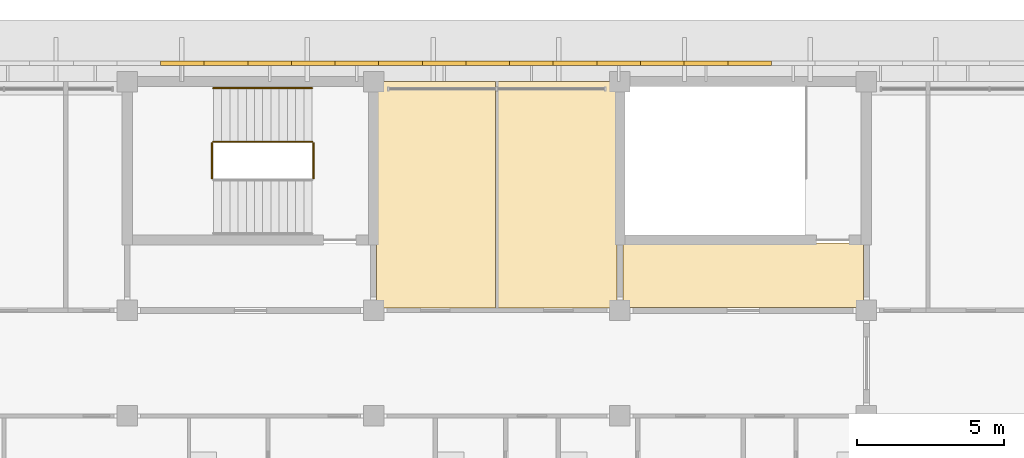
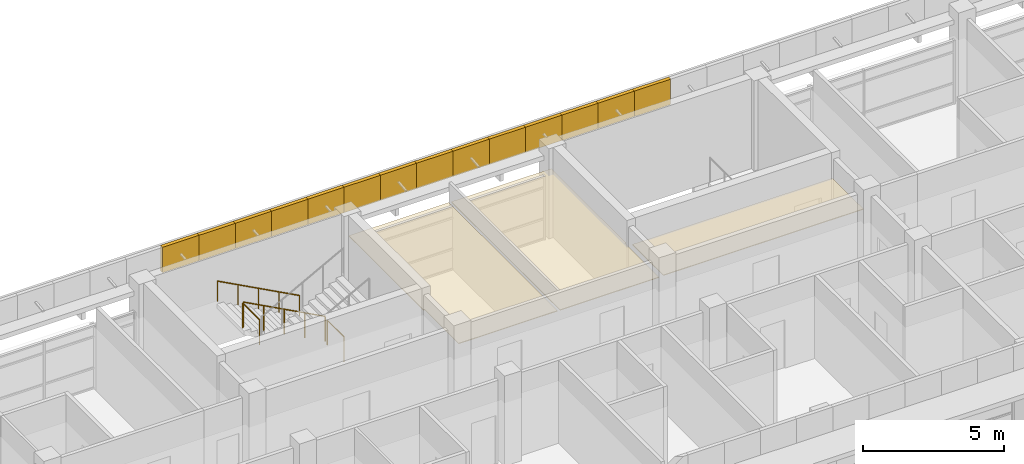
# One storey, part 32 of 36: 17 coverings, 4 railings.
"""IFC4 building model written with IfcOpenShell, lengths in metres."""

from ifc_helpers import new_model, si_unit, direction, frame, origin, origin_2d, place, context, subcontext, project, spatial, polyline, circle, outline, extrude, material, layer, layer_set, type_object, element, save


model = new_model("IFC4")

# Units and contexts
model_context = context("Model", 3, precision=1e-05, world=origin(), true_north=direction((0.0, 1.0)))
body_context = subcontext(model_context, "Body", "Model", "MODEL_VIEW")
ifc_project = project(units=[si_unit("LENGTHUNIT", "METRE"), si_unit("AREAUNIT", "SQUARE_METRE"), si_unit("VOLUMEUNIT", "CUBIC_METRE"), si_unit("PLANEANGLEUNIT", "RADIAN"), si_unit("MASSUNIT", "GRAM", prefix="KILO")], contexts=[model_context])

# Site, building, storey
site_placement = place(None, origin())
site = spatial("IfcSite", under=ifc_project, at=site_placement, CompositionType="ELEMENT")
building_placement = place(site_placement, origin())
building = spatial("IfcBuilding", under=site, at=building_placement, Name="Bougainvillea Quay General Hospital", CompositionType="ELEMENT")
storey_placement = place(building_placement, frame((0.0, 0.0, 32.699951171875)))
storey = spatial("IfcBuildingStorey", under=building, at=storey_placement, Name="L07", CompositionType="ELEMENT", Elevation=32.699951171875)

# Coverings
ifc_material_1 = material(Name="Powder-coated aluminium fascia, white", Category="aluminium")
ifc_layer_1 = layer(ifc_material_1, 0.14990234375)
ifc_layer_set_1 = layer_set([ifc_layer_1], Name="Powder-coated aluminium fascia, white")
covering_type_1 = type_object("IfcCoveringType", Name="Aluminium fascia band white 150x1100", PredefinedType="CLADDING", material=ifc_layer_set_1)
covering_1_placement = place(storey_placement, frame((105.96240234375, 160.14990234375, 3.35009765625), z_axis=(0.0, 0.0, 1.0), x_axis=(-1.0, 0.0, 0.0)))
element("IfcCovering", 1, at=covering_1_placement, inside=storey, type_object=covering_type_1, Name="Fascia band white e0 54", PredefinedType="CLADDING", context=body_context, shape_type="SweptSolid", body=[
    extrude(outline(polyline([(0.0, 0.0), (1.4873046875, 0.0), (1.4873046875, -0.150146484375), (0.0, -0.150146484375), (0.0, 0.0)])), origin(), (0.0, 0.0, 1.0), 1.10009765625),
])
for number, where, z_axis, x_axis, name in (
    (2, (104.47509765625, 160.14990234375, 3.35009765625), (0.0, 0.0, 1.0), (-1.0, 0.0, 0.0), "Fascia band white e0 55"),
    (3, (102.987548828125, 160.14990234375, 3.35009765625), (0.0, 0.0, 1.0), (-1.0, 0.0, 0.0), "Fascia band white e0 56"),
    (4, (101.5, 160.14990234375, 3.35009765625), (0.0, 0.0, 1.0), (-1.0, 0.0, 0.0), "Fascia band white e0 57"),
    (5, (100.012451171875, 160.14990234375, 3.35009765625), (0.0, 0.0, 1.0), (-1.0, 0.0, 0.0), "Fascia band white e0 58"),
):
    element("IfcCovering", number, at=place(storey_placement, frame(where, z_axis=z_axis, x_axis=x_axis)), inside=storey, type_object=covering_type_1, Name=name, PredefinedType="CLADDING", context=body_context, shape_type="SweptSolid", body=[
        extrude(outline(polyline([(0.0, 0.0), (1.487548828125, 0.0), (1.487548828125, -0.150146484375), (0.0, -0.150146484375), (0.0, 0.0)])), origin(), (0.0, 0.0, 1.0), 1.10009765625),
    ])
covering_2_placement = place(storey_placement, frame((98.52490234375, 160.14990234375, 3.35009765625), z_axis=(0.0, 0.0, 1.0), x_axis=(-1.0, 0.0, 0.0)))
element("IfcCovering", 6, at=covering_2_placement, inside=storey, type_object=covering_type_1, Name="Fascia band white e0 59", PredefinedType="CLADDING", context=body_context, shape_type="SweptSolid", body=[
    extrude(outline(polyline([(0.0, 0.0), (1.4873046875, 0.0), (1.4873046875, -0.150146484375), (0.0, -0.150146484375), (0.0, 0.0)])), origin(), (0.0, 0.0, 1.0), 1.10009765625),
])
for number, where, z_axis, x_axis, name in (
    (7, (97.03759765625, 160.14990234375, 3.35009765625), (0.0, 0.0, 1.0), (-1.0, 0.0, 0.0), "Fascia band white e0 60"),
    (8, (95.550048828125, 160.14990234375, 3.35009765625), (0.0, 0.0, 1.0), (-1.0, 0.0, 0.0), "Fascia band white e0 61"),
    (9, (94.0625, 160.14990234375, 3.35009765625), (0.0, 0.0, 1.0), (-1.0, 0.0, 0.0), "Fascia band white e0 62"),
    (10, (92.574951171875, 160.14990234375, 3.35009765625), (0.0, 0.0, 1.0), (-1.0, 0.0, 0.0), "Fascia band white e0 63"),
):
    element("IfcCovering", number, at=place(storey_placement, frame(where, z_axis=z_axis, x_axis=x_axis)), inside=storey, type_object=covering_type_1, Name=name, PredefinedType="CLADDING", context=body_context, shape_type="SweptSolid", body=[
        extrude(outline(polyline([(0.0, 0.0), (1.487548828125, 0.0), (1.487548828125, -0.150146484375), (0.0, -0.150146484375), (0.0, 0.0)])), origin(), (0.0, 0.0, 1.0), 1.10009765625),
    ])
covering_3_placement = place(storey_placement, frame((91.08740234375, 160.14990234375, 3.35009765625), z_axis=(0.0, 0.0, 1.0), x_axis=(-1.0, 0.0, 0.0)))
element("IfcCovering", 11, at=covering_3_placement, inside=storey, type_object=covering_type_1, Name="Fascia band white e0 64", PredefinedType="CLADDING", context=body_context, shape_type="SweptSolid", body=[
    extrude(outline(polyline([(0.0, 0.0), (1.4873046875, 0.0), (1.4873046875, -0.150146484375), (0.0, -0.150146484375), (0.0, 0.0)])), origin(), (0.0, 0.0, 1.0), 1.10009765625),
])
for number, where, z_axis, x_axis, name in (
    (12, (89.60009765625, 160.14990234375, 3.35009765625), (0.0, 0.0, 1.0), (-1.0, 0.0, 0.0), "Fascia band white e0 65"),
    (13, (88.112548828125, 160.14990234375, 3.35009765625), (0.0, 0.0, 1.0), (-1.0, 0.0, 0.0), "Fascia band white e0 66"),
    (14, (86.625, 160.14990234375, 3.35009765625), (0.0, 0.0, 1.0), (-1.0, 0.0, 0.0), "Fascia band white e0 67"),
):
    element("IfcCovering", number, at=place(storey_placement, frame(where, z_axis=z_axis, x_axis=x_axis)), inside=storey, type_object=covering_type_1, Name=name, PredefinedType="CLADDING", context=body_context, shape_type="SweptSolid", body=[
        extrude(outline(polyline([(0.0, 0.0), (1.487548828125, 0.0), (1.487548828125, -0.150146484375), (0.0, -0.150146484375), (0.0, 0.0)])), origin(), (0.0, 0.0, 1.0), 1.10009765625),
    ])

# Railings
ifc_material_2 = material(Name="Stainless steel 304 balustrade", Category="steel")
railing_type_1 = type_object("IfcRailingType", Name="Stair guard 1100", PredefinedType="GUARDRAIL", material=ifc_material_2)
railing_1_placement = place(storey_placement, frame((90.300048828125, 157.550048828125, 0.150146484375)))
element("IfcRailing", 15, at=railing_1_placement, inside=storey, type_object=railing_type_1, Name="L07 ST-A2 stair guard 1", PredefinedType="GUARDRAIL", context=body_context, shape_type="SweptSolid", body=[
    extrude(circle(Radius=0.02392578125, at=origin_2d()), frame((0.0, 0.0, 1.076171875), z_axis=(-0.881507581359, 0.0, 0.472169867745), x_axis=(0.0, -1.0, 0.0)), (0.0, 0.0, 1.0), 3.811767578125),
    extrude(circle(Radius=0.02099609375, at=origin_2d()), origin(), (0.0, 0.0, 1.0), 1.052001953125),
    extrude(circle(Radius=0.02099609375, at=origin_2d()), frame((-0.840087890625, 0.0, 0.449951171875)), (0.0, 0.0, 1.0), 1.052001953125),
    extrude(circle(Radius=0.02099609375, at=origin_2d()), frame((-1.68017578125, 0.0, 0.89990234375)), (0.0, 0.0, 1.0), 1.052001953125),
    extrude(circle(Radius=0.02099609375, at=origin_2d()), frame((-2.52001953125, 0.0, 1.349853515625)), (0.0, 0.0, 1.0), 1.052001953125),
    extrude(circle(Radius=0.02099609375, at=origin_2d()), frame((-3.360107421875, 0.0, 1.7998046875)), (0.0, 0.0, 1.0), 1.052001953125),
])
for number, where, name in (
    (16, (86.889892578125, 157.5, 1.949951171875), "L07 ST-A2 stair guard 2"),
    (17, (90.35009765625, 157.5, 0.0), "L07 ST-A2 stair guard 4"),
):
    element("IfcRailing", number, at=place(storey_placement, frame(where)), inside=storey, type_object=railing_type_1, Name=name, PredefinedType="GUARDRAIL", context=body_context, shape_type="SweptSolid", body=[
        extrude(circle(Radius=0.02392578125, at=origin_2d()), frame((0.0, 0.0, 1.076171875), z_axis=(0.0, -1.0, 0.0), x_axis=(1.0, 0.0, 0.0)), (0.0, 0.0, 1.0), 1.199951171875),
        extrude(circle(Radius=0.02099609375, at=origin_2d()), origin(), (0.0, 0.0, 1.0), 1.052001953125),
        extrude(circle(Radius=0.02099609375, at=origin_2d()), frame((0.0, -1.199951171875, 0.0)), (0.0, 0.0, 1.0), 1.052001953125),
    ])
ifc_material_3 = material(Name="Stainless steel 304 handrail", Category="steel")
railing_type_2 = type_object("IfcRailingType", Name="Stair handrail 900", PredefinedType="HANDRAIL", material=ifc_material_3)
railing_2_placement = place(storey_placement, frame((90.300048828125, 159.375, 0.150146484375)))
element("IfcRailing", 18, at=railing_2_placement, inside=storey, type_object=railing_type_2, Name="L07 ST-A2 stair handrail 1", PredefinedType="HANDRAIL", context=body_context, shape_type="SweptSolid", body=[
    extrude(circle(Radius=0.02392578125, at=origin_2d()), frame((0.0, 0.0, 0.8759765625), z_axis=(-0.881507581359, 0.0, 0.472169867745), x_axis=(0.0, -1.0, 0.0)), (0.0, 0.0, 1.0), 3.811767578125),
    extrude(circle(Radius=0.02099609375, at=origin_2d()), origin(), (0.0, 0.0, 1.0), 0.851806640625),
    extrude(circle(Radius=0.02099609375, at=origin_2d()), frame((-0.840087890625, 0.0, 0.449951171875)), (0.0, 0.0, 1.0), 0.851806640625),
    extrude(circle(Radius=0.02099609375, at=origin_2d()), frame((-1.68017578125, 0.0, 0.89990234375)), (0.0, 0.0, 1.0), 0.851806640625),
    extrude(circle(Radius=0.02099609375, at=origin_2d()), frame((-2.52001953125, 0.0, 1.349853515625)), (0.0, 0.0, 1.0), 0.851806640625),
    extrude(circle(Radius=0.02099609375, at=origin_2d()), frame((-3.360107421875, 0.0, 1.7998046875)), (0.0, 0.0, 1.0), 0.851806640625),
])

# Coverings
ifc_material_4 = material(Name="Mineral fibre ceiling tile")
ifc_layer_2 = layer(ifc_material_4, 0.030029296875)
ifc_layer_set_2 = layer_set([ifc_layer_2], Name="Mineral fibre ceiling tile")
covering_type_2 = type_object("IfcCoveringType", Name="Suspended ceiling mineral fibre tile", PredefinedType="CEILING", material=ifc_layer_set_2)
covering_4_placement = place(storey_placement, frame((0.0, 0.0, 2.699951171875)))
element("IfcCovering", 19, at=covering_4_placement, inside=storey, type_object=covering_type_2, Name="Ceiling Smoke-proof Vestibule ST-A5", PredefinedType="CEILING", context=body_context, shape_type="SweptSolid", body=[
    extrude(outline(polyline([(100.89990234375, 154.10009765625), (100.89990234375, 151.89990234375), (109.10009765625, 151.89990234375), (109.10009765625, 154.10009765625), (100.89990234375, 154.10009765625)])), origin(), (0.0, 0.0, 1.0), 0.030029296875),
])
covering_5_placement = place(storey_placement, frame((0.0, 0.0, 2.699951171875)))
element("IfcCovering", 20, at=covering_5_placement, inside=storey, type_object=covering_type_2, Name="Ceiling Doctors' Office 07A18", PredefinedType="CEILING", context=body_context, shape_type="SweptSolid", body=[
    extrude(outline(polyline([(92.449951171875, 159.60009765625), (92.449951171875, 154.300048828125), (92.5, 154.300048828125), (92.5, 151.875), (96.550048828125, 151.875), (96.550048828125, 159.60009765625), (92.449951171875, 159.60009765625)])), origin(), (0.0, 0.0, 1.0), 0.030029296875),
])
covering_6_placement = place(storey_placement, frame((0.0, 0.0, 2.699951171875)))
element("IfcCovering", 21, at=covering_6_placement, inside=storey, type_object=covering_type_2, Name="Ceiling Family Room 07A19", PredefinedType="CEILING", context=body_context, shape_type="SweptSolid", body=[
    extrude(outline(polyline([(96.64990234375, 159.60009765625), (96.64990234375, 151.875), (100.699951171875, 151.875), (100.699951171875, 154.300048828125), (100.75, 154.300048828125), (100.75, 159.60009765625), (96.64990234375, 159.60009765625)])), origin(), (0.0, 0.0, 1.0), 0.030029296875),
])

save(model, "model.ifc")
